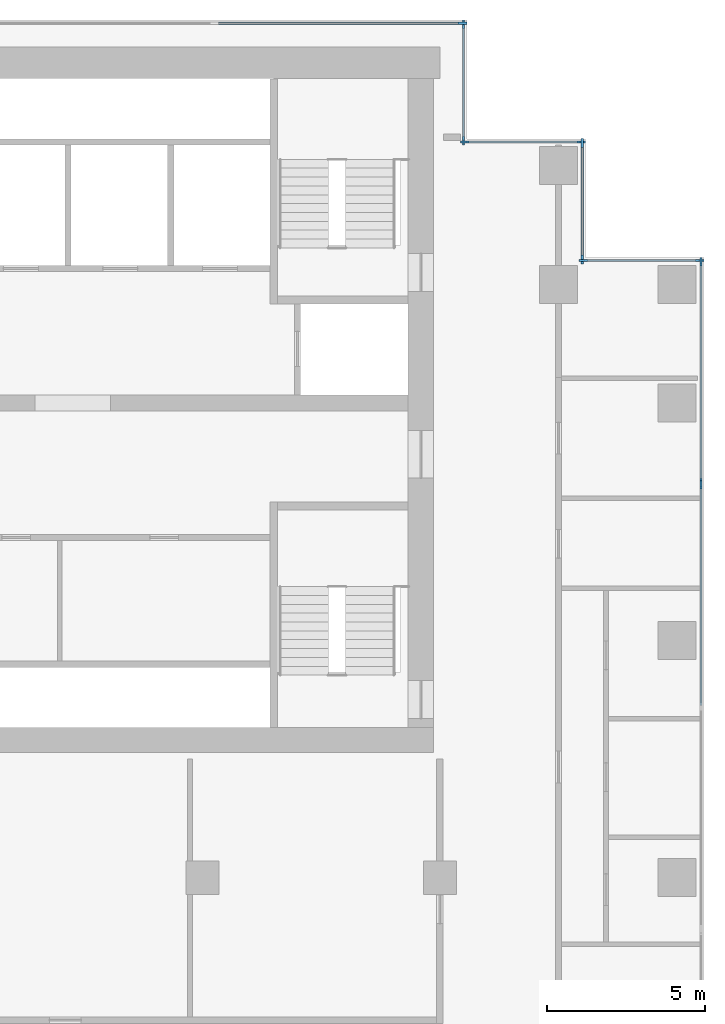
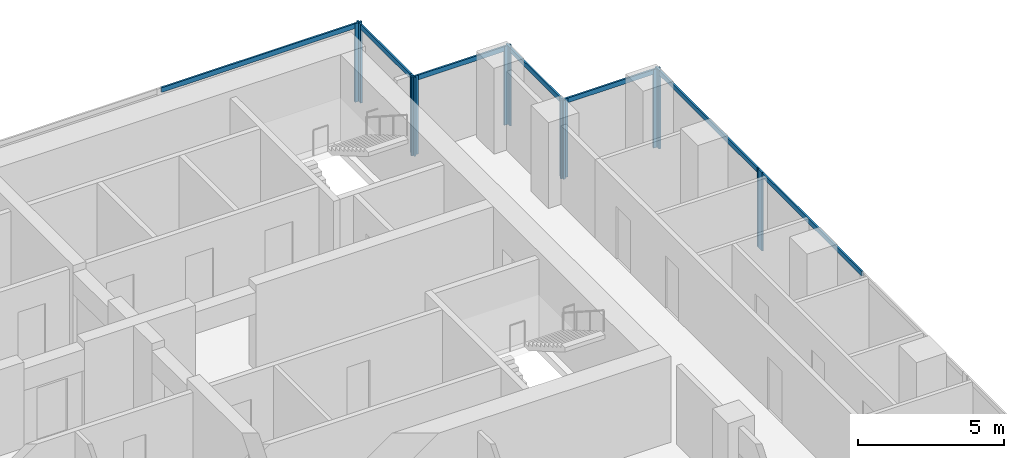
# One storey, part 5 of 10: 19 members, 7 elements without a shape of their own.
"""IFC4 building model written with IfcOpenShell, lengths in metres."""

from ifc_helpers import new_model, si_unit, direction, frame, origin, origin_2d, place, context, subcontext, project, spatial, rectangle, extrude, material, material_profile, profile_set, type_object, element, aggregate, save


model = new_model("IFC4")

# Units and contexts
model_context = context("Model", 3, precision=1e-05, world=origin(), true_north=direction((0.0, 1.0)))
body_context = subcontext(model_context, "Body", "Model", "MODEL_VIEW")
ifc_project = project(units=[si_unit("LENGTHUNIT", "METRE"), si_unit("AREAUNIT", "SQUARE_METRE"), si_unit("VOLUMEUNIT", "CUBIC_METRE"), si_unit("PLANEANGLEUNIT", "RADIAN"), si_unit("MASSUNIT", "GRAM", prefix="KILO")], contexts=[model_context])

# Site, building, storey
site_placement = place(None, origin())
site = spatial("IfcSite", under=ifc_project, at=site_placement, CompositionType="ELEMENT")
building_placement = place(site_placement, origin())
building = spatial("IfcBuilding", under=site, at=building_placement, Name="Pilkhan Gate Tower", CompositionType="ELEMENT")
storey_placement = place(building_placement, frame((0.0, 0.0, 162.10009765625)))
storey = spatial("IfcBuildingStorey", under=building, at=storey_placement, Name="L41", CompositionType="ELEMENT", Elevation=162.10009765625)

# Curtain wall, member
ifc_material_1 = material(Name="Pale anodised aluminium, clear low-iron double glazing", Category="aluminium")
curtain_wall_type = type_object("IfcCurtainWallType", Name="Office unitised curtain wall CW-O1", PredefinedType="USERDEFINED", material=ifc_material_1)
curtain_wall_1_placement = place(storey_placement, origin())
curtain_wall_1 = element("IfcCurtainWall", 1, at=curtain_wall_1_placement, inside=storey, type_object=curtain_wall_type, Name="Office unitised curtain wall CW-O1 L41 E", ObjectType="UNITISED CURTAIN WALL", PredefinedType="USERDEFINED")
ifc_material_2 = material(Name="Pale anodised aluminium", Category="aluminium")
ifc_material_profile_1 = material_profile(ifc_material_2, rectangle(XDim=0.070068359375, YDim=0.27490234375, at=origin_2d()), Name="Mullion 275x70")
ifc_profile_set_1 = profile_set([ifc_material_profile_1], Name="Pale anodised aluminium")
member_type_1 = type_object("IfcMemberType", Name="Mullion CW-O1 275x70", PredefinedType="MULLION", material=ifc_profile_set_1)
member_1_placement = place(storey_placement, frame((98.25, 79.9150390625, 0.0), z_axis=(0.0, 0.0, 1.0), x_axis=(-1.0, 0.0, 0.0)))
member_1 = element("IfcMember", 2, at=member_1_placement, type_object=member_type_1, Name="CW-O1 mullion 3", PredefinedType="MULLION", context=body_context, shape_type="SweptSolid", body=[
    extrude(rectangle(XDim=0.070068359375, YDim=0.27490234375, at=origin_2d()), origin(), (0.0, 0.0, 1.0), 3.2998046875),
])

# Curtain wall, members
curtain_wall_2_placement = place(storey_placement, origin())
curtain_wall_2 = element("IfcCurtainWall", 3, at=curtain_wall_2_placement, inside=storey, type_object=curtain_wall_type, Name="Office unitised curtain wall CW-O1 L41 E", ObjectType="UNITISED CURTAIN WALL", PredefinedType="USERDEFINED")
member_2_placement = place(storey_placement, frame((98.25, 79.985107421875, 0.0), z_axis=(0.0, 0.0, 1.0), x_axis=(-1.0, 0.0, 0.0)))
member_2 = element("IfcMember", 4, at=member_2_placement, type_object=member_type_1, Name="CW-O1 mullion 1", PredefinedType="MULLION", context=body_context, shape_type="SweptSolid", body=[
    extrude(rectangle(XDim=0.070068359375, YDim=0.27490234375, at=origin_2d()), origin(), (0.0, 0.0, 1.0), 3.2998046875),
])
member_3_placement = place(storey_placement, frame((98.25, 86.965087890625, 0.0), z_axis=(0.0, 0.0, 1.0), x_axis=(-1.0, 0.0, 0.0)))
member_3 = element("IfcMember", 5, at=member_3_placement, type_object=member_type_1, Name="CW-O1 mullion 2", PredefinedType="MULLION", context=body_context, shape_type="SweptSolid", body=[
    extrude(rectangle(XDim=0.070068359375, YDim=0.27490234375, at=origin_2d()), origin(), (0.0, 0.0, 1.0), 3.2998046875),
])

curtain_wall_3_placement = place(storey_placement, origin())
curtain_wall_3 = element("IfcCurtainWall", 6, at=curtain_wall_3_placement, inside=storey, type_object=curtain_wall_type, Name="Office unitised curtain wall CW-O1 L41 N", ObjectType="UNITISED CURTAIN WALL", PredefinedType="USERDEFINED")
member_4_placement = place(storey_placement, frame((94.534912109375, 87.0, 0.0), z_axis=(0.0, 0.0, 1.0), x_axis=(0.0, 1.0, 0.0)))
member_4 = element("IfcMember", 7, at=member_4_placement, type_object=member_type_1, Name="CW-O1 mullion 1", PredefinedType="MULLION", context=body_context, shape_type="SweptSolid", body=[
    extrude(rectangle(XDim=0.070068359375, YDim=0.27490234375, at=origin_2d()), origin(), (0.0, 0.0, 1.0), 3.2998046875),
])
member_5_placement = place(storey_placement, frame((98.215087890625, 87.0, 0.0), z_axis=(0.0, 0.0, 1.0), x_axis=(0.0, 1.0, 0.0)))
member_5 = element("IfcMember", 8, at=member_5_placement, type_object=member_type_1, Name="CW-O1 mullion 2", PredefinedType="MULLION", context=body_context, shape_type="SweptSolid", body=[
    extrude(rectangle(XDim=0.070068359375, YDim=0.27490234375, at=origin_2d()), origin(), (0.0, 0.0, 1.0), 3.2998046875),
])

curtain_wall_4_placement = place(storey_placement, origin())
curtain_wall_4 = element("IfcCurtainWall", 9, at=curtain_wall_4_placement, inside=storey, type_object=curtain_wall_type, Name="Office unitised curtain wall CW-O1 L41 E", ObjectType="UNITISED CURTAIN WALL", PredefinedType="USERDEFINED")
member_6_placement = place(storey_placement, frame((94.5, 87.034912109375, 0.0), z_axis=(0.0, 0.0, 1.0), x_axis=(-1.0, 0.0, 0.0)))
member_6 = element("IfcMember", 10, at=member_6_placement, type_object=member_type_1, Name="CW-O1 mullion 1", PredefinedType="MULLION", context=body_context, shape_type="SweptSolid", body=[
    extrude(rectangle(XDim=0.070068359375, YDim=0.27490234375, at=origin_2d()), origin(), (0.0, 0.0, 1.0), 3.2998046875),
])
member_7_placement = place(storey_placement, frame((94.5, 90.715087890625, 0.0), z_axis=(0.0, 0.0, 1.0), x_axis=(-1.0, 0.0, 0.0)))
member_7 = element("IfcMember", 11, at=member_7_placement, type_object=member_type_1, Name="CW-O1 mullion 2", PredefinedType="MULLION", context=body_context, shape_type="SweptSolid", body=[
    extrude(rectangle(XDim=0.070068359375, YDim=0.27490234375, at=origin_2d()), origin(), (0.0, 0.0, 1.0), 3.2998046875),
])

curtain_wall_5_placement = place(storey_placement, origin())
curtain_wall_5 = element("IfcCurtainWall", 12, at=curtain_wall_5_placement, inside=storey, type_object=curtain_wall_type, Name="Office unitised curtain wall CW-O1 L41 N", ObjectType="UNITISED CURTAIN WALL", PredefinedType="USERDEFINED")
member_8_placement = place(storey_placement, frame((90.784912109375, 90.75, 0.0), z_axis=(0.0, 0.0, 1.0), x_axis=(0.0, 1.0, 0.0)))
member_8 = element("IfcMember", 13, at=member_8_placement, type_object=member_type_1, Name="CW-O1 mullion 1", PredefinedType="MULLION", context=body_context, shape_type="SweptSolid", body=[
    extrude(rectangle(XDim=0.070068359375, YDim=0.27490234375, at=origin_2d()), origin(), (0.0, 0.0, 1.0), 3.2998046875),
])
member_9_placement = place(storey_placement, frame((94.465087890625, 90.75, 0.0), z_axis=(0.0, 0.0, 1.0), x_axis=(0.0, 1.0, 0.0)))
member_9 = element("IfcMember", 14, at=member_9_placement, type_object=member_type_1, Name="CW-O1 mullion 2", PredefinedType="MULLION", context=body_context, shape_type="SweptSolid", body=[
    extrude(rectangle(XDim=0.070068359375, YDim=0.27490234375, at=origin_2d()), origin(), (0.0, 0.0, 1.0), 3.2998046875),
])

curtain_wall_6_placement = place(storey_placement, origin())
curtain_wall_6 = element("IfcCurtainWall", 15, at=curtain_wall_6_placement, inside=storey, type_object=curtain_wall_type, Name="Office unitised curtain wall CW-O1 L41 E", ObjectType="UNITISED CURTAIN WALL", PredefinedType="USERDEFINED")
member_10_placement = place(storey_placement, frame((90.75, 90.784912109375, 0.0), z_axis=(0.0, 0.0, 1.0), x_axis=(-1.0, 0.0, 0.0)))
member_10 = element("IfcMember", 16, at=member_10_placement, type_object=member_type_1, Name="CW-O1 mullion 1", PredefinedType="MULLION", context=body_context, shape_type="SweptSolid", body=[
    extrude(rectangle(XDim=0.070068359375, YDim=0.27490234375, at=origin_2d()), origin(), (0.0, 0.0, 1.0), 3.2998046875),
])
member_11_placement = place(storey_placement, frame((90.75, 94.465087890625, 0.0), z_axis=(0.0, 0.0, 1.0), x_axis=(-1.0, 0.0, 0.0)))
member_11 = element("IfcMember", 17, at=member_11_placement, type_object=member_type_1, Name="CW-O1 mullion 2", PredefinedType="MULLION", context=body_context, shape_type="SweptSolid", body=[
    extrude(rectangle(XDim=0.070068359375, YDim=0.27490234375, at=origin_2d()), origin(), (0.0, 0.0, 1.0), 3.2998046875),
])

# Curtain wall, member
curtain_wall_7_placement = place(storey_placement, origin())
curtain_wall_7 = element("IfcCurtainWall", 18, at=curtain_wall_7_placement, inside=storey, type_object=curtain_wall_type, Name="Office unitised curtain wall CW-O1 L41 N", ObjectType="UNITISED CURTAIN WALL", PredefinedType="USERDEFINED")
member_12_placement = place(storey_placement, frame((90.715087890625, 94.5, 0.0), z_axis=(0.0, 0.0, 1.0), x_axis=(0.0, 1.0, 0.0)))
member_12 = element("IfcMember", 19, at=member_12_placement, type_object=member_type_1, Name="CW-O1 mullion 3", PredefinedType="MULLION", context=body_context, shape_type="SweptSolid", body=[
    extrude(rectangle(XDim=0.070068359375, YDim=0.27490234375, at=origin_2d()), origin(), (0.0, 0.0, 1.0), 3.2998046875),
])

# Member
ifc_material_profile_2 = material_profile(ifc_material_2, rectangle(XDim=0.070068359375, YDim=0.199951171875, at=origin_2d()), Name="Transom 200x70")
ifc_profile_set_2 = profile_set([ifc_material_profile_2], Name="Pale anodised aluminium")
member_type_2 = type_object("IfcMemberType", Name="Transom CW-O1 200x70", PredefinedType="USERDEFINED", material=ifc_profile_set_2)
member_13_placement = place(storey_placement, frame((98.25, 72.93505859375, 3.199951171875), z_axis=(0.0, 1.0, 0.0), x_axis=(-1.0, 0.0, 0.0)))
member_13 = element("IfcMember", 20, at=member_13_placement, type_object=member_type_2, Name="CW-O1 transom 2", ObjectType="TRANSOM", PredefinedType="USERDEFINED", context=body_context, shape_type="SweptSolid", body=[
    extrude(rectangle(XDim=0.070068359375, YDim=0.199951171875, at=origin_2d()), origin(), (0.0, 0.0, 1.0), 6.94482421875),
])

aggregate(curtain_wall_1, [member_1, member_13])

member_14_placement = place(storey_placement, frame((98.25, 80.02001953125, 3.199951171875), z_axis=(0.0, 1.0, 0.0), x_axis=(-1.0, 0.0, 0.0)))
member_14 = element("IfcMember", 21, at=member_14_placement, type_object=member_type_2, Name="CW-O1 transom 1", ObjectType="TRANSOM", PredefinedType="USERDEFINED", context=body_context, shape_type="SweptSolid", body=[
    extrude(rectangle(XDim=0.070068359375, YDim=0.199951171875, at=origin_2d()), origin(), (0.0, 0.0, 1.0), 6.909912109375),
])

aggregate(curtain_wall_2, [member_2, member_3, member_14])

member_15_placement = place(storey_placement, frame((94.570068359375, 87.0, 3.199951171875), z_axis=(1.0, 0.0, 0.0), x_axis=(0.0, 1.0, 0.0)))
member_15 = element("IfcMember", 22, at=member_15_placement, type_object=member_type_2, Name="CW-O1 transom 1", ObjectType="TRANSOM", PredefinedType="USERDEFINED", context=body_context, shape_type="SweptSolid", body=[
    extrude(rectangle(XDim=0.070068359375, YDim=0.199951171875, at=origin_2d()), origin(), (0.0, 0.0, 1.0), 3.60986328125),
])

aggregate(curtain_wall_3, [member_4, member_5, member_15])

member_16_placement = place(storey_placement, frame((94.5, 87.070068359375, 3.199951171875), z_axis=(0.0, 1.0, 0.0), x_axis=(-1.0, 0.0, 0.0)))
member_16 = element("IfcMember", 23, at=member_16_placement, type_object=member_type_2, Name="CW-O1 transom 1", ObjectType="TRANSOM", PredefinedType="USERDEFINED", context=body_context, shape_type="SweptSolid", body=[
    extrude(rectangle(XDim=0.070068359375, YDim=0.199951171875, at=origin_2d()), origin(), (0.0, 0.0, 1.0), 3.60986328125),
])

aggregate(curtain_wall_4, [member_6, member_7, member_16])

member_17_placement = place(storey_placement, frame((90.820068359375, 90.75, 3.199951171875), z_axis=(1.0, 0.0, 0.0), x_axis=(0.0, 1.0, 0.0)))
member_17 = element("IfcMember", 24, at=member_17_placement, type_object=member_type_2, Name="CW-O1 transom 1", ObjectType="TRANSOM", PredefinedType="USERDEFINED", context=body_context, shape_type="SweptSolid", body=[
    extrude(rectangle(XDim=0.070068359375, YDim=0.199951171875, at=origin_2d()), origin(), (0.0, 0.0, 1.0), 3.60986328125),
])

aggregate(curtain_wall_5, [member_8, member_9, member_17])

member_18_placement = place(storey_placement, frame((90.75, 90.820068359375, 3.199951171875), z_axis=(0.0, 1.0, 0.0), x_axis=(-1.0, 0.0, 0.0)))
member_18 = element("IfcMember", 25, at=member_18_placement, type_object=member_type_2, Name="CW-O1 transom 1", ObjectType="TRANSOM", PredefinedType="USERDEFINED", context=body_context, shape_type="SweptSolid", body=[
    extrude(rectangle(XDim=0.070068359375, YDim=0.199951171875, at=origin_2d()), origin(), (0.0, 0.0, 1.0), 3.60986328125),
])

aggregate(curtain_wall_6, [member_10, member_11, member_18])

member_19_placement = place(storey_placement, frame((82.909912109375, 94.5, 3.199951171875), z_axis=(1.0, 0.0, 0.0), x_axis=(0.0, 1.0, 0.0)))
member_19 = element("IfcMember", 26, at=member_19_placement, type_object=member_type_2, Name="CW-O1 transom 2", ObjectType="TRANSOM", PredefinedType="USERDEFINED", context=body_context, shape_type="SweptSolid", body=[
    extrude(rectangle(XDim=0.070068359375, YDim=0.199951171875, at=origin_2d()), origin(), (0.0, 0.0, 1.0), 7.77001953125),
])

aggregate(curtain_wall_7, [member_12, member_19])

save(model, "model.ifc")
